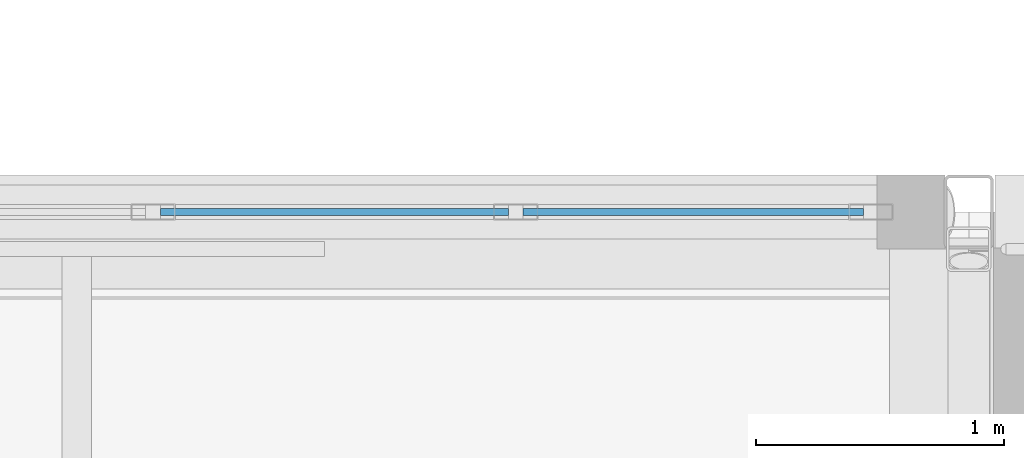
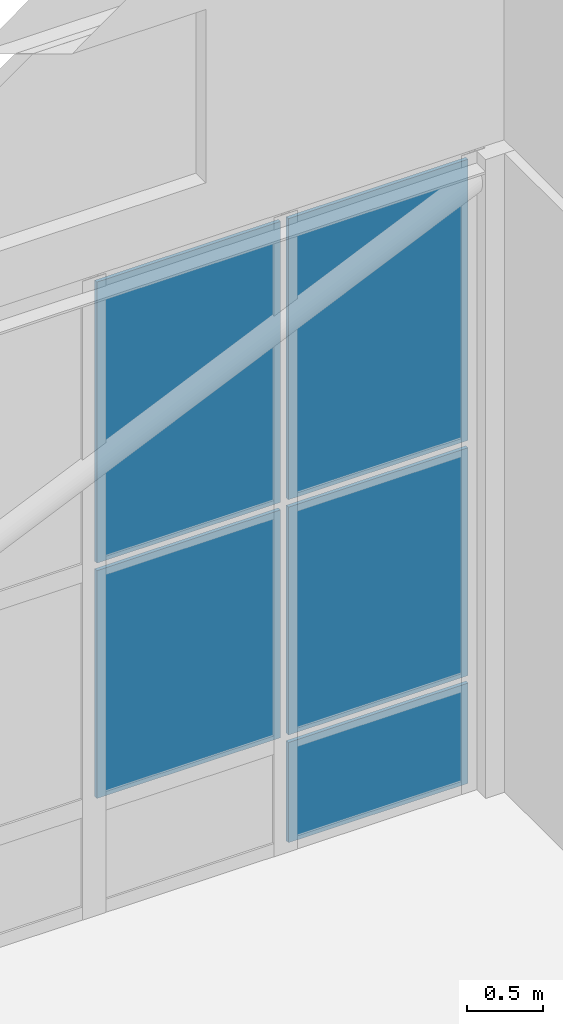
# One storey, part 34 of 49: 5 plates, 1 element without a shape of its own.
"""IFC4 building model written with IfcOpenShell, lengths in metres."""

import ifcopenshell
import ifcopenshell.guid

model = None  # the IFC model being written
_history = None  # IfcOwnerHistory: only IFC2X3 demands one
_inside = {}  # id of a spatial element -> (the spatial element, [elements in it])
_under = {}  # id of a project, library or spatial element -> (it, [spatial elements below it])
_declared = {}  # id of a project -> (the project, [libraries it declares])
_typed = {}  # id of a type object -> (the type object, [elements of that type])
_made_of = {}  # id of a material, layer set ... -> (it, [elements and type objects made of it])


def new_model(schema):
    """Start an empty IFC model of exactly this schema.

    Asked for "IFC4X3", IfcOpenShell would pick the latest addendum, in which some entities
    have other attributes; the version numbers below select the first issue.
    IFC2X3 requires an IfcOwnerHistory on every rooted entity: one is made here for all.
    """
    global model, _history
    if schema == "IFC4X3":
        model = ifcopenshell.file(schema_version=(4, 3, 0, 0))
    else:
        model = ifcopenshell.file(schema=schema)
    _inside.clear()
    _under.clear()
    _declared.clear()
    _typed.clear()
    _made_of.clear()
    _history = None
    if model.schema == "IFC2X3":
        org = make("IfcOrganization", Name="unknown")
        user = make(
            "IfcPersonAndOrganization",
            ThePerson=make("IfcPerson", FamilyName="unknown"),
            TheOrganization=org,
        )
        app = make(
            "IfcApplication",
            ApplicationDeveloper=org,
            Version="unknown",
            ApplicationFullName="unknown",
            ApplicationIdentifier="unknown",
        )
        _history = make(
            "IfcOwnerHistory",
            OwningUser=user,
            OwningApplication=app,
            ChangeAction="ADDED",
            CreationDate=0,
        )
    return model


def make(cls, **values):
    """One entity of the class cls with the attributes given. An attribute that is None is left unset."""
    return model.create_entity(
        cls, **{name: value for name, value in values.items() if value is not None}
    )


def rooted(cls, **values):
    """An entity with a GlobalId (a new one), such as an element, a storey or a relation."""
    return make(cls, GlobalId=ifcopenshell.guid.new(), OwnerHistory=_history, **values)


def si_unit(unit_type, name, prefix=None):
    """IfcSIUnit, for example si_unit("LENGTHUNIT", "METRE", prefix="MILLI")."""
    return make("IfcSIUnit", UnitType=unit_type, Prefix=prefix, Name=name)


def assignment(units):
    """IfcUnitAssignment: the units of a project."""
    return None if units is None else make("IfcUnitAssignment", Units=units)


def point(xyz):
    """IfcCartesianPoint."""
    return None if xyz is None else make("IfcCartesianPoint", Coordinates=xyz)


def direction(xyz):
    """IfcDirection."""
    return None if xyz is None else make("IfcDirection", DirectionRatios=xyz)


def frame(location, z_axis=None, x_axis=None):
    """IfcAxis2Placement3D, a coordinate frame: its origin and axes. An axis left out is left unset."""
    return make(
        "IfcAxis2Placement3D",
        Location=point(location),
        Axis=direction(z_axis),
        RefDirection=direction(x_axis),
    )


def frame_2d(location, x_axis=None):
    """IfcAxis2Placement2D, a coordinate frame in the plane: its origin and x axis."""
    return make(
        "IfcAxis2Placement2D", Location=point(location), RefDirection=direction(x_axis)
    )


def origin():
    """The frame at (0, 0, 0) with its axes left unset."""
    return frame((0.0, 0.0, 0.0))


def origin_2d():
    """The frame at (0, 0) in the plane with its x axis left unset."""
    return frame_2d((0.0, 0.0))


def place(relative_to, where):
    """IfcLocalPlacement: puts the frame where relative to a parent placement (None: the world)."""
    return make(
        "IfcLocalPlacement", PlacementRelTo=relative_to, RelativePlacement=where
    )


def context(
    kind, dimensions, precision=None, world=None, true_north=None, identifier=None
):
    """IfcGeometricRepresentationContext, for example the 3D "Model" context."""
    return make(
        "IfcGeometricRepresentationContext",
        ContextIdentifier=identifier,
        ContextType=kind,
        CoordinateSpaceDimension=dimensions,
        Precision=precision,
        WorldCoordinateSystem=world,
        TrueNorth=true_north,
    )


def subcontext(parent, identifier, kind, view, scale=None):
    """IfcGeometricRepresentationSubContext, for example "Body" below "Model"."""
    return make(
        "IfcGeometricRepresentationSubContext",
        ContextIdentifier=identifier,
        ContextType=kind,
        ParentContext=parent,
        TargetScale=scale,
        TargetView=view,
    )


def project(units=None, contexts=None):
    """IfcProject with its units and contexts."""
    return rooted(
        "IfcProject",
        Name="project",
        RepresentationContexts=contexts,
        UnitsInContext=assignment(units),
    )


def spatial(cls, under=None, at=None, **own):
    """A site, building, storey or space (cls), placed at a placement, below another one or the project."""
    s = rooted(cls, ObjectPlacement=at, **own)
    if under is not None:
        _under.setdefault(under.id(), (under, []))[1].append(s)
    return s


def profile(cls, at=None, kind="AREA", **sizes):
    """A parametric profile (cls). Its sizes go by their IFC names, for example OverallWidth=200.0."""
    return make(cls, ProfileType=kind, Position=at, **sizes)


def rectangle(**sizes):
    """IfcRectangleProfileDef."""
    return profile("IfcRectangleProfileDef", **sizes)


def extrude(swept, where, along, depth):
    """IfcExtrudedAreaSolid: the profile swept, set in the frame where, extruded along a direction by depth."""
    return make(
        "IfcExtrudedAreaSolid",
        SweptArea=swept,
        Position=where,
        ExtrudedDirection=direction(along),
        Depth=depth,
    )


def shape(context_of_items, identifier, shape_type, items):
    """IfcShapeRepresentation: the items that make up one representation, for example the "Body"."""
    return make(
        "IfcShapeRepresentation",
        ContextOfItems=context_of_items,
        RepresentationIdentifier=identifier,
        RepresentationType=shape_type,
        Items=items,
    )


def material(Name=None, Category=None):
    """IfcMaterial."""
    return make("IfcMaterial", Name=Name, Category=Category)


def layer(
    of_material, thickness, ventilated=None, Name=None, Category=None, Priority=None
):
    """IfcMaterialLayer: one layer of a wall or slab, of a material (None: an air gap)."""
    return make(
        "IfcMaterialLayer",
        Material=of_material,
        LayerThickness=thickness,
        IsVentilated=ventilated,
        Name=Name,
        Category=Category,
        Priority=Priority,
    )


def layer_set(layers, Name=None):
    """IfcMaterialLayerSet."""
    return make("IfcMaterialLayerSet", MaterialLayers=layers, LayerSetName=Name)


def made_of(thing, what):
    """Note that an element or type object is made of a material, layer set ...; save() writes the relation."""
    if what is not None:
        _made_of.setdefault(what.id(), (what, []))[1].append(thing)
    return thing


def type_object(cls, material=None, **own):
    """A type object (cls), such as IfcWallType, which elements share."""
    return made_of(rooted(cls, **own), material)


def element(
    cls,
    number,
    at=None,
    inside=None,
    cuts=None,
    type_object=None,
    material=None,
    context=None,
    identifier="Body",
    shape_type=None,
    held_by="IfcProductDefinitionShape",
    body=None,
    shapes=None,
    **own,
):
    """One element of the class cls, such as IfcWall. Its Tag is "e" and its number.

    at: its placement. inside: the storey or other place that contains it. cuts: it is an
    opening in that element (IfcRelVoidsElement). A single representation is given by context,
    identifier, shape_type and body (its items); several are given by shapes. held_by: the class
    of the entity that holds the representations. save() writes the other relations.
    """
    e = rooted(cls, Tag="e%d" % number, ObjectPlacement=at, **own)
    if body is not None:
        shapes = [shape(context, identifier, shape_type, body)]
    if shapes is not None:
        e.Representation = make(held_by, Representations=shapes)
    if inside is not None:
        _inside.setdefault(inside.id(), (inside, []))[1].append(e)
    if cuts is not None:
        rooted(
            "IfcRelVoidsElement", RelatingBuildingElement=cuts, RelatedOpeningElement=e
        )
    if type_object is not None:
        _typed.setdefault(type_object.id(), (type_object, []))[1].append(e)
    return made_of(e, material)


def aggregate(whole, parts):
    """IfcRelAggregates: a whole, such as a stair, and the parts it consists of."""
    return rooted("IfcRelAggregates", RelatingObject=whole, RelatedObjects=parts)


def save(model, path):
    """Write the relations noted so far, then the file.

    IfcRelAggregates (storeys below a building ...), IfcRelContainedInSpatialStructure (elements
    in a storey), IfcRelDefinesByType, IfcRelAssociatesMaterial and IfcRelDeclares: one each for
    every whole, place, type object, material and project.
    """
    for whole, parts in _under.values():
        aggregate(whole, parts)
    for where, things in _inside.values():
        rooted(
            "IfcRelContainedInSpatialStructure",
            RelatedElements=things,
            RelatingStructure=where,
        )
    for kind, things in _typed.values():
        rooted("IfcRelDefinesByType", RelatedObjects=things, RelatingType=kind)
    for what, things in _made_of.values():
        rooted("IfcRelAssociatesMaterial", RelatedObjects=things, RelatingMaterial=what)
    for by, libraries in _declared.values():
        rooted("IfcRelDeclares", RelatingContext=by, RelatedDefinitions=libraries)
    model.write(path)


model = new_model("IFC4")

# Units and contexts
model_context = context("Model", 3, precision=1e-05, world=origin(), true_north=direction((0.0, 1.0)))
body_context = subcontext(model_context, "Body", "Model", "MODEL_VIEW")
ifc_project = project(units=[si_unit("LENGTHUNIT", "METRE"), si_unit("AREAUNIT", "SQUARE_METRE"), si_unit("VOLUMEUNIT", "CUBIC_METRE"), si_unit("PLANEANGLEUNIT", "RADIAN"), si_unit("MASSUNIT", "GRAM", prefix="KILO")], contexts=[model_context])

# Site, building, storey
site_placement = place(None, origin())
site = spatial("IfcSite", under=ifc_project, at=site_placement, CompositionType="ELEMENT")
building_placement = place(site_placement, origin())
building = spatial("IfcBuilding", under=site, at=building_placement, Name="Tasgan Crest Museum", CompositionType="ELEMENT")
storey_placement = place(building_placement, frame((0.0, 0.0, 28.800048828125)))
storey = spatial("IfcBuildingStorey", under=building, at=storey_placement, Name="L05", CompositionType="ELEMENT", Elevation=28.800048828125)

# Curtain wall, plates
ifc_material_1 = material(Name="Triple-Glazed Aluminium Curtain Wall", Category="aluminium")
ifc_layer_1 = layer(ifc_material_1, 0.179931640625, Name="CW-GAL-X-54")
ifc_layer_set_1 = layer_set([ifc_layer_1], Name="Triple-Glazed Aluminium Curtain Wall")
curtain_wall_type = type_object("IfcCurtainWallType", Name="CW-GAL-X-54", PredefinedType="NOTDEFINED", material=ifc_layer_set_1)
curtain_wall_placement = place(storey_placement, origin())
curtain_wall = element("IfcCurtainWall", 1, at=curtain_wall_placement, inside=storey, type_object=curtain_wall_type, Name="Curtain wall L05 201", PredefinedType="NOTDEFINED")
ifc_material_2 = material(Name="Insulated Spandrel Glass", Category="glass")
ifc_layer_2 = layer(ifc_material_2, 0.052001953125, Name="CW-PANEL-SPANDREL")
ifc_layer_set_2 = layer_set([ifc_layer_2], Name="Insulated Spandrel Glass")
plate_type_1 = type_object("IfcPlateType", Name="CW-PANEL-SPANDREL", PredefinedType="CURTAIN_PANEL", material=ifc_layer_set_2)
plate_1_placement = place(storey_placement, frame((74.48828125, 112.0, 0.059814453125), z_axis=(0.0, 0.0, 1.0), x_axis=(-1.0, 0.0, 0.0)))
plate_1 = element("IfcPlate", 2, at=plate_1_placement, type_object=plate_type_1, Name="CW15 panel 1.1", PredefinedType="CURTAIN_PANEL", context=body_context, shape_type="SweptSolid", body=[
    extrude(rectangle(XDim=1.373291015625, YDim=0.028076171875, at=origin_2d()), origin(), (0.0, 0.0, 1.0), 0.81005859375),
])
ifc_material_3 = material(Name="Low-E Triple Glazing", Category="glass")
ifc_layer_3 = layer(ifc_material_3, 0.0439453125, Name="CW-PANEL-TRIPLE")
ifc_layer_set_3 = layer_set([ifc_layer_3], Name="Low-E Triple Glazing")
plate_type_2 = type_object("IfcPlateType", Name="CW-PANEL-TRIPLE", PredefinedType="CURTAIN_PANEL", material=ifc_layer_set_3)
plate_2_placement = place(storey_placement, frame((74.48828125, 112.0, 0.9296875), z_axis=(0.0, 0.0, 1.0), x_axis=(-1.0, 0.0, 0.0)))
plate_2 = element("IfcPlate", 3, at=plate_2_placement, type_object=plate_type_2, Name="CW15 panel 1.2", PredefinedType="CURTAIN_PANEL", context=body_context, shape_type="SweptSolid", body=[
    extrude(rectangle(XDim=1.373291015625, YDim=0.028076171875, at=origin_2d()), origin(), (0.0, 0.0, 1.0), 1.840087890625),
])
plate_3_placement = place(storey_placement, frame((74.48828125, 112.0, 2.829833984375), z_axis=(0.0, 0.0, 1.0), x_axis=(-1.0, 0.0, 0.0)))
plate_3 = element("IfcPlate", 4, at=plate_3_placement, type_object=plate_type_2, Name="CW15 panel 1.3", PredefinedType="CURTAIN_PANEL", context=body_context, shape_type="SweptSolid", body=[
    extrude(rectangle(XDim=1.373291015625, YDim=0.028076171875, at=origin_2d()), origin(), (0.0, 0.0, 1.0), 2.27001953125),
])
plate_4_placement = place(storey_placement, frame((73.0400390625, 112.0, 0.9296875), z_axis=(0.0, 0.0, 1.0), x_axis=(-1.0, 0.0, 0.0)))
plate_4 = element("IfcPlate", 5, at=plate_4_placement, type_object=plate_type_2, Name="CW15 panel 2.2", PredefinedType="CURTAIN_PANEL", context=body_context, shape_type="SweptSolid", body=[
    extrude(rectangle(XDim=1.4033203125, YDim=0.028076171875, at=origin_2d()), origin(), (0.0, 0.0, 1.0), 1.840087890625),
])
plate_5_placement = place(storey_placement, frame((73.0400390625, 112.0, 2.829833984375), z_axis=(0.0, 0.0, 1.0), x_axis=(-1.0, 0.0, 0.0)))
plate_5 = element("IfcPlate", 6, at=plate_5_placement, type_object=plate_type_2, Name="CW15 panel 2.3", PredefinedType="CURTAIN_PANEL", context=body_context, shape_type="SweptSolid", body=[
    extrude(rectangle(XDim=1.4033203125, YDim=0.028076171875, at=origin_2d()), origin(), (0.0, 0.0, 1.0), 2.27001953125),
])
aggregate(curtain_wall, [plate_1, plate_2, plate_3, plate_4, plate_5])

save(model, "model.ifc")
